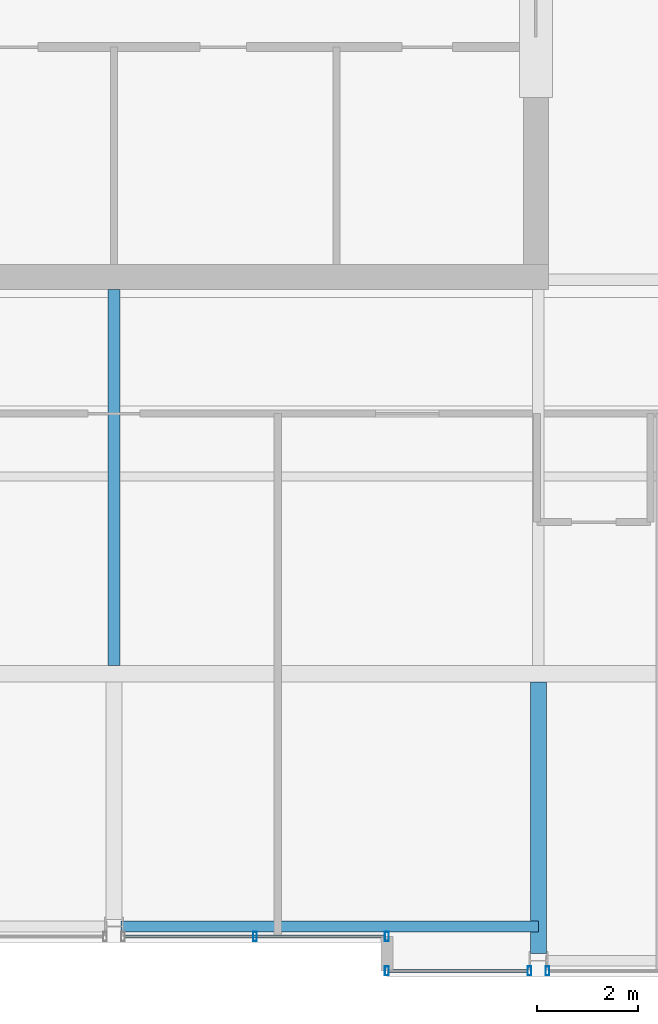
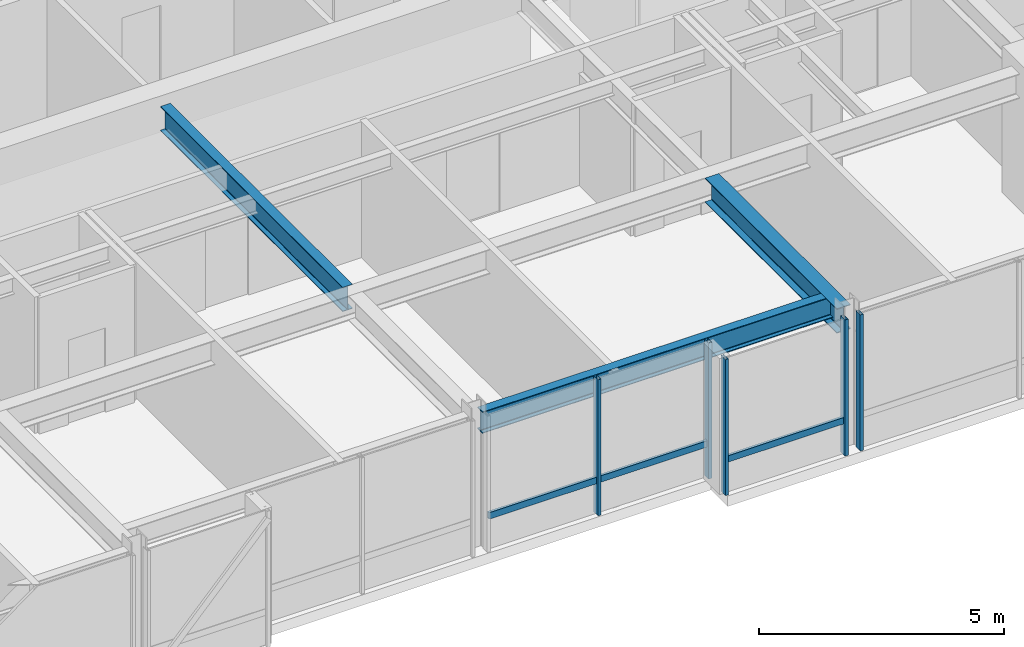
# One storey, part 9 of 33: 7 members, 3 beams, 3 elements without a shape of their own.
"""IFC4 building model written with IfcOpenShell, lengths in metres."""

from ifc_helpers import new_model, si_unit, direction, frame, origin, origin_2d, place, context, subcontext, project, spatial, hollow_rectangle, i_section, extrude, material, layer, layer_set, material_profile, profile_set, type_object, element, aggregate, save


model = new_model("IFC4")

# Units and contexts
model_context = context("Model", 3, precision=1e-05, world=origin(), true_north=direction((0.0, 1.0)))
body_context = subcontext(model_context, "Body", "Model", "MODEL_VIEW")
ifc_project = project(units=[si_unit("LENGTHUNIT", "METRE"), si_unit("AREAUNIT", "SQUARE_METRE"), si_unit("VOLUMEUNIT", "CUBIC_METRE"), si_unit("PLANEANGLEUNIT", "RADIAN"), si_unit("MASSUNIT", "GRAM", prefix="KILO")], contexts=[model_context])

# Site, building, storey
site_placement = place(None, origin())
site = spatial("IfcSite", under=ifc_project, at=site_placement, CompositionType="ELEMENT")
building_placement = place(site_placement, origin())
building = spatial("IfcBuilding", under=site, at=building_placement, Name="Drelvath Grand Hotel", CompositionType="ELEMENT")
storey_placement = place(building_placement, frame((0.0, 0.0, 268.64990234375)))
storey = spatial("IfcBuildingStorey", under=building, at=storey_placement, Name="L70", CompositionType="ELEMENT", Elevation=268.64990234375)

# Curtain wall, member
ifc_material_1 = material(Name="Platinum-Mist Anodised Aluminium Frame", Category="aluminium")
ifc_layer = layer(ifc_material_1, 0.199951171875)
ifc_layer_set = layer_set([ifc_layer], Name="Platinum-Mist Anodised Aluminium Frame")
curtain_wall_type = type_object("IfcCurtainWallType", Name="Stick Curtain Wall CW-05 Platinum Mist High-Rise", PredefinedType="NOTDEFINED", material=ifc_layer_set)
curtain_wall_1_placement = place(storey_placement, origin())
curtain_wall_1 = element("IfcCurtainWall", 1, at=curtain_wall_1_placement, inside=storey, type_object=curtain_wall_type, Name="L70 CW-05 Curtain Wall CW05-L70-SE1", PredefinedType="NOTDEFINED")
ifc_material_profile_1 = material_profile(ifc_material_1, hollow_rectangle(XDim=0.06494140625, YDim=0.159912109375, WallThickness=0.00390625, at=origin_2d()), Name="HSS160X65X4")
ifc_profile_set_1 = profile_set([ifc_material_profile_1], Name="Platinum-Mist Anodised Aluminium Frame")
member_type_1 = type_object("IfcMemberType", Name="Curtain Wall Horizontal Transom CW-05 HSS160X65X4", PredefinedType="USERDEFINED", material=ifc_profile_set_1)
member_1_placement = place(storey_placement, frame((8.181884765625, 4.919921875, 0.84765625), z_axis=(-1.0, 0.0, 0.0), x_axis=(0.0, -1.0, 0.0)))
member_1 = element("IfcMember", 2, at=member_1_placement, type_object=member_type_1, Name="CW05-L70-SE1 Sill Transom", ObjectType="TRANSOM", PredefinedType="USERDEFINED", context=body_context, shape_type="SweptSolid", body=[
    extrude(hollow_rectangle(XDim=0.06494140625, YDim=0.159912109375, WallThickness=0.00390625, at=origin_2d()), origin(), (0.0, 0.0, 1.0), 2.741943359375),
])

curtain_wall_2_placement = place(storey_placement, origin())
curtain_wall_2 = element("IfcCurtainWall", 3, at=curtain_wall_2_placement, inside=storey, type_object=curtain_wall_type, Name="L70 CW-05 Curtain Wall CW05-L70-SM2", PredefinedType="NOTDEFINED")
member_2_placement = place(storey_placement, frame((5.360107421875, 5.60009765625, 0.84765625), z_axis=(-1.0, 0.0, 0.0), x_axis=(0.0, -1.0, 0.0)))
member_2 = element("IfcMember", 4, at=member_2_placement, type_object=member_type_1, Name="CW05-L70-SM2 Sill Transom", ObjectType="TRANSOM", PredefinedType="USERDEFINED", context=body_context, shape_type="SweptSolid", body=[
    extrude(hollow_rectangle(XDim=0.06494140625, YDim=0.159912109375, WallThickness=0.00390625, at=origin_2d()), origin(), (0.0, 0.0, 1.0), 5.141845703125),
])

# Member
ifc_material_profile_2 = material_profile(ifc_material_1, hollow_rectangle(XDim=0.074951171875, YDim=0.179931640625, WallThickness=0.0048828125, at=origin_2d()), Name="HSS180X75X5")
ifc_profile_set_2 = profile_set([ifc_material_profile_2], Name="Platinum-Mist Anodised Aluminium Frame")
member_type_2 = type_object("IfcMemberType", Name="Curtain Wall Vertical Mullion CW-05 HSS180X75X5", PredefinedType="MULLION", material=ifc_profile_set_2)
member_3_placement = place(storey_placement, frame((8.2216796875, 4.919921875, 0.0), z_axis=(0.0, 0.0, 1.0), x_axis=(1.0, 0.0, 0.0)))
member_3 = element("IfcMember", 5, at=member_3_placement, type_object=member_type_2, Name="CW05-L70-SE1 Mullion 1", PredefinedType="MULLION", context=body_context, shape_type="SweptSolid", body=[
    extrude(hollow_rectangle(XDim=0.074951171875, YDim=0.179931640625, WallThickness=0.0048828125, at=origin_2d()), origin(), (0.0, 0.0, 1.0), 3.39013671875),
])

member_4_placement = place(storey_placement, frame((5.39990234375, 4.919921875, 0.0), z_axis=(0.0, 0.0, 1.0), x_axis=(1.0, 0.0, 0.0)))
member_4 = element("IfcMember", 6, at=member_4_placement, type_object=member_type_2, Name="CW05-L70-SE1 Mullion 2", PredefinedType="MULLION", context=body_context, shape_type="SweptSolid", body=[
    extrude(hollow_rectangle(XDim=0.074951171875, YDim=0.179931640625, WallThickness=0.0048828125, at=origin_2d()), origin(), (0.0, 0.0, 1.0), 3.39013671875),
])

aggregate(curtain_wall_1, [member_3, member_4, member_1])

# Curtain wall, member
curtain_wall_3_placement = place(storey_placement, origin())
curtain_wall_3 = element("IfcCurtainWall", 7, at=curtain_wall_3_placement, inside=storey, type_object=curtain_wall_type, Name="L70 CW-05 Curtain Wall CW05-L70-SE2", PredefinedType="NOTDEFINED")
member_5_placement = place(storey_placement, frame((8.578125, 4.919921875, 0.0), z_axis=(0.0, 0.0, 1.0), x_axis=(1.0, 0.0, 0.0)))
member_5 = element("IfcMember", 8, at=member_5_placement, type_object=member_type_2, Name="CW05-L70-SE2 Mullion 3", PredefinedType="MULLION", context=body_context, shape_type="SweptSolid", body=[
    extrude(hollow_rectangle(XDim=0.074951171875, YDim=0.179931640625, WallThickness=0.0048828125, at=origin_2d()), origin(), (0.0, 0.0, 1.0), 3.39013671875),
])
aggregate(curtain_wall_3, [member_5])

# Member
member_6_placement = place(storey_placement, frame((5.39990234375, 5.60009765625, 0.0), z_axis=(0.0, 0.0, 1.0), x_axis=(1.0, 0.0, 0.0)))
member_6 = element("IfcMember", 9, at=member_6_placement, type_object=member_type_2, Name="CW05-L70-SM2 Mullion 1", PredefinedType="MULLION", context=body_context, shape_type="SweptSolid", body=[
    extrude(hollow_rectangle(XDim=0.074951171875, YDim=0.179931640625, WallThickness=0.0048828125, at=origin_2d()), origin(), (0.0, 0.0, 1.0), 3.39013671875),
])

member_7_placement = place(storey_placement, frame((2.7890625, 5.60009765625, 0.0), z_axis=(0.0, 0.0, 1.0), x_axis=(1.0, 0.0, 0.0)))
member_7 = element("IfcMember", 10, at=member_7_placement, type_object=member_type_2, Name="CW05-L70-SM2 Mullion 2", PredefinedType="MULLION", context=body_context, shape_type="SweptSolid", body=[
    extrude(hollow_rectangle(XDim=0.074951171875, YDim=0.179931640625, WallThickness=0.0048828125, at=origin_2d()), origin(), (0.0, 0.0, 1.0), 3.39013671875),
])

aggregate(curtain_wall_2, [member_6, member_7, member_2])

# Beams
ifc_material_2 = material(Name="Steel ASTM A992 Gr 50", Category="steel")
ifc_material_profile_3 = material_profile(ifc_material_2, i_section(OverallWidth=0.210205078125, OverallDepth=0.53662109375, WebThickness=0.010986328125, FlangeThickness=0.017333984375, FilletRadius=0.01806640625, at=origin_2d()), Name="W21X68")
ifc_profile_set_3 = profile_set([ifc_material_profile_3], Name="Steel ASTM A992 Gr 50")
beam_type_1 = type_object("IfcBeamType", Name="Perimeter Spandrel Beam W21X68", PredefinedType="SPANDREL", material=ifc_profile_set_3)
beam_1_placement = place(storey_placement, frame((0.139892578125, 5.800048828125, 3.121826171875), z_axis=(1.0, 0.0, 0.0), x_axis=(0.0, 1.0, 0.0)))
element("IfcBeam", 11, at=beam_1_placement, inside=storey, type_object=beam_type_1, Name="L70 Spandrel South Mid E", PredefinedType="SPANDREL", context=body_context, shape_type="SweptSolid", body=[
    extrude(i_section(OverallWidth=0.210205078125, OverallDepth=0.53662109375, WebThickness=0.010986328125, FlangeThickness=0.017333984375, FilletRadius=0.01806640625, at=origin_2d()), origin(), (0.0, 0.0, 1.0), 8.260009765625),
])
ifc_material_profile_4 = material_profile(ifc_material_2, i_section(OverallWidth=0.323974609375, OverallDepth=0.611083984375, WebThickness=0.0126953125, FlangeThickness=0.01904296875, FilletRadius=0.02197265625, at=origin_2d()), Name="W24X104")
ifc_profile_set_4 = profile_set([ifc_material_profile_4], Name="Steel ASTM A992 Gr 50")
beam_type_2 = type_object("IfcBeamType", Name="Primary Floor Girder W24X104", PredefinedType="BEAM", material=ifc_profile_set_4)
beam_2_placement = place(storey_placement, frame((8.39990234375, 5.260009765625, 3.084716796875), z_axis=(0.0, 1.0, 0.0), x_axis=(-1.0, 0.0, 0.0)))
element("IfcBeam", 12, at=beam_2_placement, inside=storey, type_object=beam_type_2, Name="L70 South Wing Girder 6", PredefinedType="BEAM", context=body_context, shape_type="SweptSolid", body=[
    extrude(i_section(OverallWidth=0.323974609375, OverallDepth=0.611083984375, WebThickness=0.0126953125, FlangeThickness=0.01904296875, FilletRadius=0.02197265625, at=origin_2d()), origin(), (0.0, 0.0, 1.0), 5.3779296875),
])
ifc_material_profile_5 = material_profile(ifc_material_2, i_section(OverallWidth=0.228271484375, OverallDepth=0.607666015625, WebThickness=0.01123046875, FlangeThickness=0.017333984375, FilletRadius=0.02001953125, at=origin_2d()), Name="W24X76")
ifc_profile_set_5 = profile_set([ifc_material_profile_5], Name="Steel ASTM A992 Gr 50")
beam_type_3 = type_object("IfcBeamType", Name="Primary Floor Girder W24X76", PredefinedType="BEAM", material=ifc_profile_set_5)
beam_3_placement = place(storey_placement, frame((0.0, 10.9619140625, 3.086181640625), z_axis=(0.0, 1.0, 0.0), x_axis=(-1.0, 0.0, 0.0)))
element("IfcBeam", 13, at=beam_3_placement, inside=storey, type_object=beam_type_3, Name="L70 South Core Tie 5", PredefinedType="BEAM", context=body_context, shape_type="SweptSolid", body=[
    extrude(i_section(OverallWidth=0.228271484375, OverallDepth=0.607666015625, WebThickness=0.01123046875, FlangeThickness=0.017333984375, FilletRadius=0.02001953125, at=origin_2d()), origin(), (0.0, 0.0, 1.0), 7.43798828125),
])

save(model, "model.ifc")
